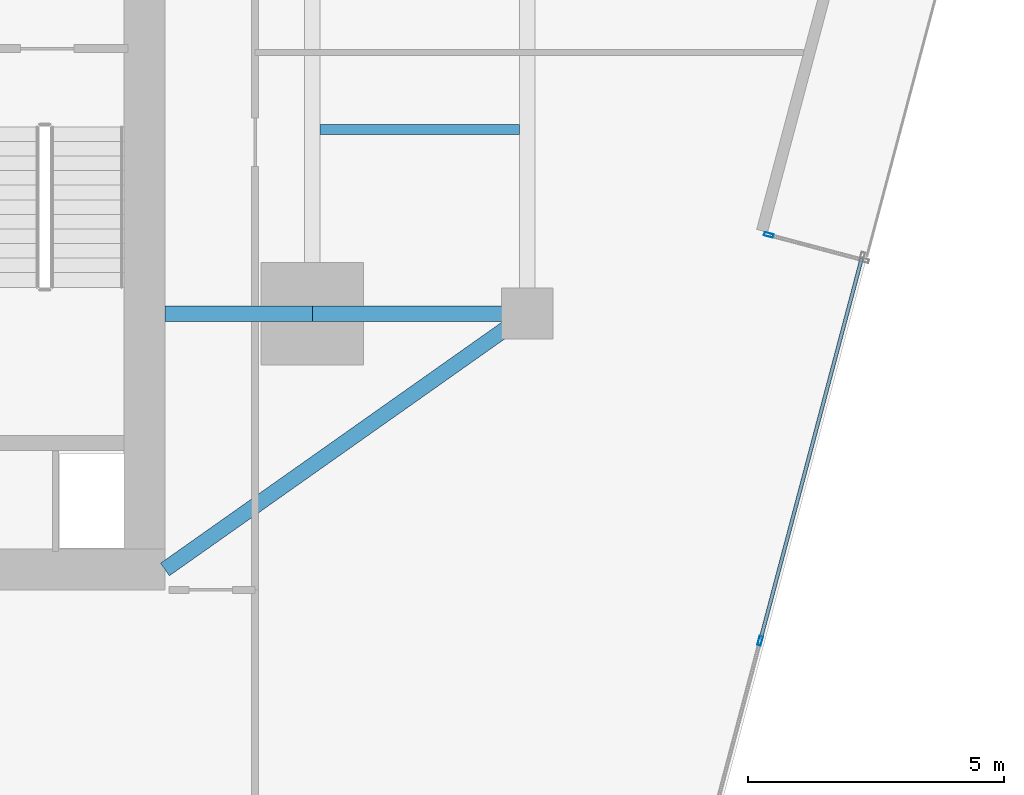
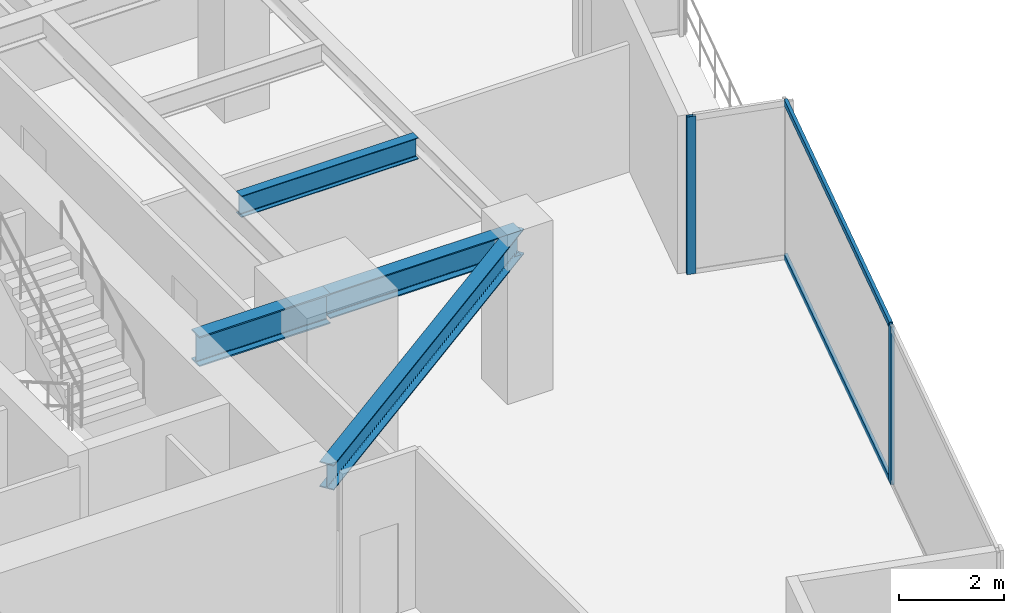
# One storey, part 11 of 27: 4 beams, 4 members, 2 elements without a shape of their own.
"""IFC4 building model written with IfcOpenShell, lengths in metres."""

from ifc_helpers import new_model, si_unit, direction, frame, origin, origin_2d, place, context, subcontext, project, spatial, hollow_rectangle, i_section, extrude, source, transform, mapped, material, material_profile, profile_set, type_object, type_shapes, element, aggregate, save


model = new_model("IFC4")

# Units and contexts
model_context = context("Model", 3, precision=1e-05, world=origin(), true_north=direction((0.0, 1.0)))
body_context = subcontext(model_context, "Body", "Model", "MODEL_VIEW")
ifc_project = project(units=[si_unit("LENGTHUNIT", "METRE"), si_unit("AREAUNIT", "SQUARE_METRE"), si_unit("VOLUMEUNIT", "CUBIC_METRE"), si_unit("PLANEANGLEUNIT", "RADIAN"), si_unit("MASSUNIT", "GRAM", prefix="KILO")], contexts=[model_context])

# Site, building, storey
site_placement = place(None, origin())
site = spatial("IfcSite", under=ifc_project, at=site_placement, CompositionType="ELEMENT")
building_placement = place(site_placement, origin())
building = spatial("IfcBuilding", under=site, at=building_placement, Name="Krantzveldt Concourse Tower", CompositionType="ELEMENT")
storey_placement = place(building_placement, frame((0.0, 0.0, 101.89990234375)))
storey = spatial("IfcBuildingStorey", under=building, at=storey_placement, Name="L24", CompositionType="ELEMENT", Elevation=101.89990234375)

# Beams
ifc_material_1 = material(Name="Steel S355J2", Category="steel")
ifc_material_profile_1 = material_profile(ifc_material_1, i_section(OverallWidth=0.300048828125, OverallDepth=0.699951171875, WebThickness=0.01708984375, FlangeThickness=0.031982421875, FilletRadius=0.027099609375, at=origin_2d()), Name="Steel S355J2", Category="steel")
ifc_profile_set_1 = profile_set([ifc_material_profile_1], Name="Steel S355J2 - HEB 700")
beam_type_1 = type_object("IfcBeamType", Name="BM-B-HEB700", PredefinedType="BEAM", material=ifc_profile_set_1)
shared_shape_1 = source(origin(), body_context, "Body", "SweptSolid", [
    extrude(i_section(OverallWidth=0.300048828125, OverallDepth=0.699951171875, WebThickness=0.01708984375, FlangeThickness=0.031982421875, FilletRadius=0.027099609375, at=origin_2d()), origin(), (0.0, 0.0, 1.0), 2.880126953125),
])
type_shapes(beam_type_1, [shared_shape_1])
beam_1_placement = place(storey_placement, frame((43.919921875, 15.89990234375, 3.320068359375), z_axis=(1.0, 0.0, 0.0), x_axis=(0.0, 1.0, 0.0)))
element("IfcBeam", 1, at=beam_1_placement, inside=storey, type_object=beam_type_1, Name="L24 Tower Girder BG-CE1", PredefinedType="BEAM", context=body_context, shape_type="MappedRepresentation", body=[
    mapped(shared_shape_1, transform((0.0, 0.0, 0.0), x_axis=(1.0, 0.0, 0.0), y_axis=(0.0, 1.0, 0.0), z_axis=(0.0, 0.0, 1.0), scale=1.0)),
])
ifc_material_2 = material(Name="Steel S355JR", Category="steel")
ifc_material_profile_2 = material_profile(ifc_material_2, i_section(OverallWidth=0.300048828125, OverallDepth=0.590087890625, WebThickness=0.012939453125, FlangeThickness=0.02490234375, FilletRadius=0.027099609375, at=origin_2d()), Name="Steel S355JR", Category="steel")
ifc_profile_set_2 = profile_set([ifc_material_profile_2], Name="Steel S355JR - HEA 600")
beam_type_2 = type_object("IfcBeamType", Name="BM-B-HEA600", PredefinedType="BEAM", material=ifc_profile_set_2)
shared_shape_2 = source(origin(), body_context, "Body", "SweptSolid", [
    extrude(i_section(OverallWidth=0.300048828125, OverallDepth=0.590087890625, WebThickness=0.012939453125, FlangeThickness=0.02490234375, FilletRadius=0.027099609375, at=origin_2d()), origin(), (0.0, 0.0, 1.0), 4.199951171875),
])
beam_2_placement = place(storey_placement, frame((46.800048828125, 15.89990234375, 3.375), z_axis=(1.0, 0.0, 0.0), x_axis=(0.0, 1.0, 0.0)))
element("IfcBeam", 2, at=beam_2_placement, inside=storey, type_object=beam_type_2, Name="L24 Tower Girder BR-RR1", PredefinedType="BEAM", context=body_context, shape_type="MappedRepresentation", body=[
    mapped(shared_shape_2, transform((0.0, 0.0, 0.0), x_axis=(1.0, 0.0, 0.0), y_axis=(0.0, 1.0, 0.0), z_axis=(0.0, 0.0, 1.0), scale=1.0)),
])
shared_shape_3 = source(origin(), body_context, "Body", "SweptSolid", [
    extrude(i_section(OverallWidth=0.300048828125, OverallDepth=0.590087890625, WebThickness=0.012939453125, FlangeThickness=0.02490234375, FilletRadius=0.027099609375, at=origin_2d()), origin(), (0.0, 0.0, 1.0), 8.667724609375),
])
type_shapes(beam_type_2, [shared_shape_2, shared_shape_3])
beam_3_placement = place(storey_placement, frame((51.0, 15.89990234375, 3.375), z_axis=(-0.81684294656, -0.576860122261, 0.0), x_axis=(0.576860122261, -0.81684294656, 0.0)))
element("IfcBeam", 3, at=beam_3_placement, inside=storey, type_object=beam_type_2, Name="L24 Tower Girder BR-CSE", PredefinedType="BEAM", context=body_context, shape_type="MappedRepresentation", body=[
    mapped(shared_shape_3, transform((0.0, 0.0, 0.0), x_axis=(1.0, 0.0, 0.0), y_axis=(0.0, 1.0, 0.0), z_axis=(0.0, 0.0, 1.0), scale=1.0)),
])
ifc_material_profile_3 = material_profile(ifc_material_2, i_section(OverallWidth=0.199951171875, OverallDepth=0.5, WebThickness=0.01025390625, FlangeThickness=0.01611328125, FilletRadius=0.02099609375, at=origin_2d()), Name="Steel S355JR", Category="steel")
ifc_profile_set_3 = profile_set([ifc_material_profile_3], Name="Steel S355JR - IPE 500")
beam_type_3 = type_object("IfcBeamType", Name="BM-J-IPE500", PredefinedType="JOIST", material=ifc_profile_set_3)
shared_shape_4 = source(origin(), body_context, "Body", "SweptSolid", [
    extrude(i_section(OverallWidth=0.199951171875, OverallDepth=0.5, WebThickness=0.01025390625, FlangeThickness=0.01611328125, FilletRadius=0.02099609375, at=origin_2d()), origin(), (0.0, 0.0, 1.0), 3.900146484375),
])
type_shapes(beam_type_3, [shared_shape_4])
beam_4_placement = place(storey_placement, frame((46.949951171875, 19.5, 3.420166015625), z_axis=(1.0, 0.0, 0.0), x_axis=(0.0, 1.0, 0.0)))
element("IfcBeam", 4, at=beam_4_placement, inside=storey, type_object=beam_type_3, Name="L24 Secondary Floor Joist JE-1", PredefinedType="JOIST", context=body_context, shape_type="MappedRepresentation", body=[
    mapped(shared_shape_4, transform((0.0, 0.0, 0.0), x_axis=(1.0, 0.0, 0.0), y_axis=(0.0, 1.0, 0.0), z_axis=(0.0, 0.0, 1.0), scale=1.0)),
])

# Curtain wall, member
ifc_material_3 = material(Name="Anodised aluminium 6063-T6", Category="aluminium")
curtain_wall_type_1 = type_object("IfcCurtainWallType", Name="CW2", PredefinedType="USERDEFINED", material=ifc_material_3)
curtain_wall_1_placement = place(storey_placement, origin())
curtain_wall_1 = element("IfcCurtainWall", 5, at=curtain_wall_1_placement, inside=storey, type_object=curtain_wall_type_1, Name="CW-L24-F07", ObjectType="UNITISED CURTAIN WALL", PredefinedType="USERDEFINED")
ifc_material_profile_4 = material_profile(ifc_material_3, hollow_rectangle(XDim=0.070068359375, YDim=0.179931640625, WallThickness=0.0048828125, at=origin_2d()), Name="Anodised aluminium 6063-T6", Category="aluminium")
ifc_profile_set_4 = profile_set([ifc_material_profile_4], Name="Anodised aluminium 6063-T6 - ALU-MULL 180x70x5")
member_type_1 = type_object("IfcMemberType", Name="CW-MUL-180", PredefinedType="MULLION", material=ifc_profile_set_4)
shared_shape_5 = source(origin(), body_context, "Body", "SweptSolid", [
    extrude(hollow_rectangle(XDim=0.070068359375, YDim=0.179931640625, WallThickness=0.0048828125, at=origin_2d()), origin(), (0.0, 0.0, 1.0), 3.670166015625),
])
type_shapes(member_type_1, [shared_shape_5])
member_1_placement = place(storey_placement, frame((55.551025390625, 9.5048828125, 0.0), z_axis=(0.0, 0.0, 1.0), x_axis=(-0.966488210944, 0.256711001141, 0.0)))
member_1 = element("IfcMember", 6, at=member_1_placement, type_object=member_type_1, Name="CW-Z12 mullion 2", PredefinedType="MULLION", context=body_context, shape_type="MappedRepresentation", body=[
    mapped(shared_shape_5, transform((0.0, 0.0, 0.0), x_axis=(1.0, 0.0, 0.0), y_axis=(0.0, 1.0, 0.0), z_axis=(0.0, 0.0, 1.0), scale=1.0)),
])

curtain_wall_type_2 = type_object("IfcCurtainWallType", Name="CW6", PredefinedType="USERDEFINED", material=ifc_material_3)
curtain_wall_2_placement = place(storey_placement, origin())
curtain_wall_2 = element("IfcCurtainWall", 7, at=curtain_wall_2_placement, inside=storey, type_object=curtain_wall_type_2, Name="CW-L24-TR08", ObjectType="UNITISED CURTAIN WALL", PredefinedType="USERDEFINED")
member_2_placement = place(storey_placement, frame((55.718017578125, 17.437744140625, 0.0), z_axis=(0.0, 0.0, 1.0), x_axis=(-0.256714292587, -0.96648733669, 0.0)))
member_2 = element("IfcMember", 8, at=member_2_placement, type_object=member_type_1, Name="CW-TERR mullion 2", PredefinedType="MULLION", context=body_context, shape_type="MappedRepresentation", body=[
    mapped(shared_shape_5, transform((0.0, 0.0, 0.0), x_axis=(1.0, 0.0, 0.0), y_axis=(0.0, 1.0, 0.0), z_axis=(0.0, 0.0, 1.0), scale=1.0)),
])
aggregate(curtain_wall_2, [member_2])

# Member
ifc_material_profile_5 = material_profile(ifc_material_3, hollow_rectangle(XDim=0.070068359375, YDim=0.139892578125, WallThickness=0.0048828125, at=origin_2d()), Name="Anodised aluminium 6063-T6", Category="aluminium")
ifc_profile_set_5 = profile_set([ifc_material_profile_5], Name="Anodised aluminium 6063-T6 - ALU-TRAN 140x70x5")
member_type_2 = type_object("IfcMemberType", Name="CW-TRN-150", PredefinedType="USERDEFINED", material=ifc_profile_set_5)
shared_shape_6 = source(origin(), body_context, "Body", "SweptSolid", [
    extrude(hollow_rectangle(XDim=0.070068359375, YDim=0.139892578125, WallThickness=0.0048828125, at=origin_2d()), origin(), (0.0, 0.0, 1.0), 7.695068359375),
])
type_shapes(member_type_2, [shared_shape_6])
member_3_placement = place(storey_placement, frame((55.56005859375, 9.53857421875, 0.03515625), z_axis=(0.256700848044, 0.966490907672, 0.0), x_axis=(-0.966490907672, 0.256700848044, 0.0)))
member_3 = element("IfcMember", 9, at=member_3_placement, type_object=member_type_2, Name="CW-Z12 transom 2.1", ObjectType="TRANSOM", PredefinedType="USERDEFINED", context=body_context, shape_type="MappedRepresentation", body=[
    mapped(shared_shape_6, transform((0.0, 0.0, 0.0), x_axis=(1.0, 0.0, 0.0), y_axis=(0.0, 1.0, 0.0), z_axis=(0.0, 0.0, 1.0), scale=1.0)),
])

member_4_placement = place(storey_placement, frame((55.56005859375, 9.53857421875, 3.635009765625), z_axis=(0.256700848044, 0.966490907672, 0.0), x_axis=(-0.966490907672, 0.256700848044, 0.0)))
member_4 = element("IfcMember", 10, at=member_4_placement, type_object=member_type_2, Name="CW-Z12 transom 2.2", ObjectType="TRANSOM", PredefinedType="USERDEFINED", context=body_context, shape_type="MappedRepresentation", body=[
    mapped(shared_shape_6, transform((0.0, 0.0, 0.0), x_axis=(1.0, 0.0, 0.0), y_axis=(0.0, 1.0, 0.0), z_axis=(0.0, 0.0, 1.0), scale=1.0)),
])

aggregate(curtain_wall_1, [member_1, member_3, member_4])

save(model, "model.ifc")
